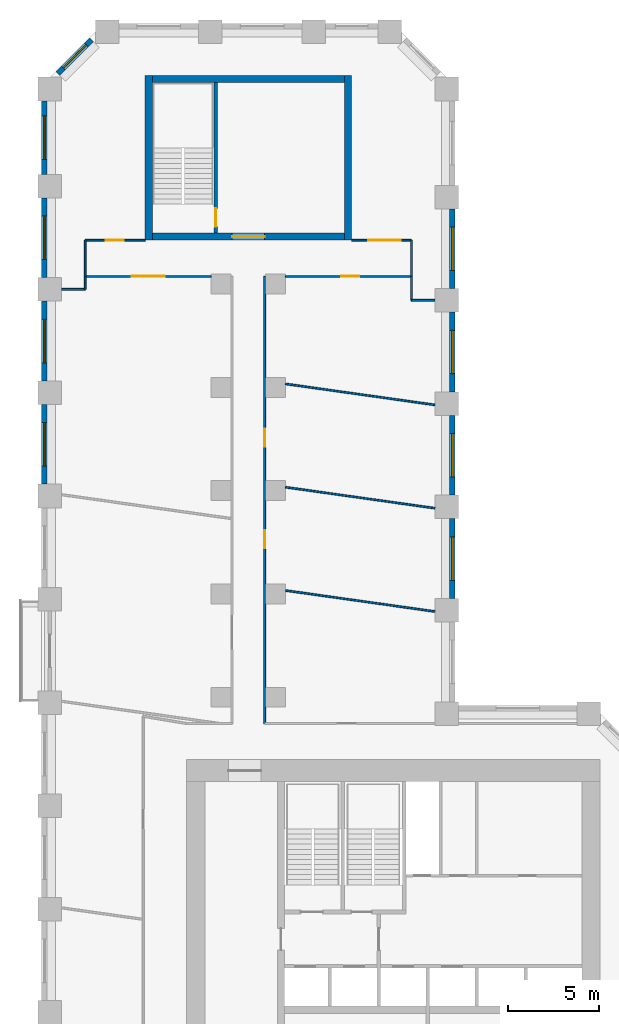
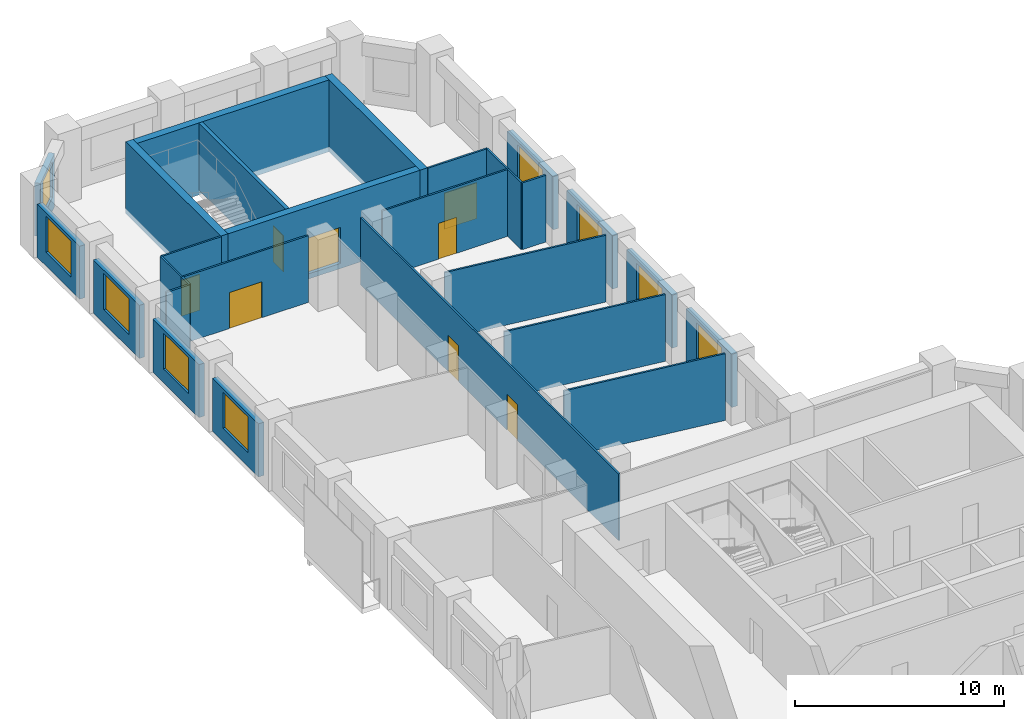
# One storey, part 8 of 10: 28 walls, 9 windows, 8 doors, 17 openings.
"""IFC4 building model written with IfcOpenShell, lengths in metres."""

from ifc_helpers import new_model, si_unit, direction, frame, frame_2d, origin, place, context, subcontext, project, spatial, rectangle, extrude, material, layer, layer_set, type_object, element, fill, save


model = new_model("IFC4")

# Units and contexts
model_context = context("Model", 3, precision=1e-05, world=origin(), true_north=direction((0.0, 1.0)))
body_context = subcontext(model_context, "Body", "Model", "MODEL_VIEW")
ifc_project = project(units=[si_unit("LENGTHUNIT", "METRE"), si_unit("AREAUNIT", "SQUARE_METRE"), si_unit("VOLUMEUNIT", "CUBIC_METRE"), si_unit("PLANEANGLEUNIT", "RADIAN"), si_unit("MASSUNIT", "GRAM", prefix="KILO")], contexts=[model_context])

# Site, building, storey
site_placement = place(None, origin())
site = spatial("IfcSite", under=ifc_project, at=site_placement, CompositionType="ELEMENT")
building_placement = place(site_placement, origin())
building = spatial("IfcBuilding", under=site, at=building_placement, Name="Meshkara Civic Tower", CompositionType="ELEMENT")
storey_placement = place(building_placement, frame((0.0, 0.0, 109.800048828125)))
storey = spatial("IfcBuildingStorey", under=building, at=storey_placement, Name="L24", CompositionType="ELEMENT", Elevation=109.800048828125)

# Wall, opening, door
ifc_material_1 = material(Name="Corridor wall 100")
ifc_layer_1 = layer(ifc_material_1, 0.10009765625)
ifc_layer_set_1 = layer_set([ifc_layer_1], Name="Corridor wall 100")
wall_type_1 = type_object("IfcWallType", Name="Corridor wall 100", PredefinedType="PARTITIONING", material=ifc_layer_set_1)
wall_1_placement = place(storey_placement, frame((2.39990234375, 63.570068359375, 0.0), z_axis=(0.0, 0.0, 1.0), x_axis=(1.0, 0.0, 0.0)))
wall_1 = element("IfcWall", 1, at=wall_1_placement, inside=storey, type_object=wall_type_1, Name="L24-W001", PredefinedType="PARTITIONING", context=body_context, shape_type="SweptSolid", body=[
    extrude(rectangle(XDim=6.9501953125, YDim=0.10009765625, at=frame_2d((3.47509765625, 0.0))), origin(), (0.0, 0.0, 1.0), 3.89990234375),
])
opening_1_placement = place(wall_1_placement, frame((2.580078125, 0.0, 0.0)))
opening_1 = element("IfcOpeningElement", 2, at=opening_1_placement, cuts=wall_1, Name="Opening L24-D022", PredefinedType="OPENING", context=body_context, shape_type="SweptSolid", body=[
    extrude(rectangle(XDim=1.800048828125, YDim=2.10009765625, at=frame_2d((0.89990234375, 1.050048828125))), frame((0.0, 0.06005859375, 0.0), z_axis=(0.0, -1.0, 0.0), x_axis=(1.0, 0.0, 0.0)), (0.0, 0.0, 1.0), 0.1201171875),
])
ifc_material_2 = material(Name="Door pair 1800 x 2100")
door_type_1 = type_object("IfcDoorType", Name="Door pair 1800 x 2100", OperationType="SINGLE_SWING_LEFT", PredefinedType="DOOR", material=ifc_material_2)
door_1_placement = place(opening_1_placement, origin())
door_1 = element("IfcDoor", 3, at=door_1_placement, inside=storey, type_object=door_type_1, Name="L24-D022", OperationType="DOUBLE_DOOR_SINGLE_SWING", OverallHeight=2.10009765625, OverallWidth=1.800048828125, PredefinedType="DOOR", context=body_context, shape_type="SweptSolid", body=[
    extrude(rectangle(XDim=1.800048828125, YDim=2.10009765625, at=frame_2d((0.89990234375, 1.050048828125))), frame((0.0, 0.02490234375, 0.0), z_axis=(0.0, -1.0, 0.0), x_axis=(1.0, 0.0, 0.0)), (0.0, 0.0, 1.0), 0.050048828125),
])
fill(opening_1, door_1)

# Wall
wall_2_placement = place(storey_placement, frame((2.39990234375, 65.570068359375, 0.0), z_axis=(0.0, 0.0, 1.0), x_axis=(0.0, -1.0, 0.0)))
element("IfcWall", 4, at=wall_2_placement, inside=storey, type_object=wall_type_1, Name="L24-W002", PredefinedType="PARTITIONING", context=body_context, shape_type="SweptSolid", body=[
    extrude(rectangle(XDim=2.0, YDim=0.10009765625, at=frame_2d((1.0, 0.0))), origin(), (0.0, 0.0, 1.0), 3.89990234375),
])

# Wall, opening, door
wall_3_placement = place(storey_placement, frame((5.699951171875, 65.570068359375, 0.0), z_axis=(0.0, 0.0, 1.0), x_axis=(-1.0, 0.0, 0.0)))
wall_3 = element("IfcWall", 5, at=wall_3_placement, inside=storey, type_object=wall_type_1, Name="L24-W005", PredefinedType="PARTITIONING", context=body_context, shape_type="SweptSolid", body=[
    extrude(rectangle(XDim=3.300048828125, YDim=0.10009765625, at=frame_2d((1.64990234375, 0.0))), origin(), (0.0, 0.0, 1.0), 3.89990234375),
])
opening_2_placement = place(wall_3_placement, frame((1.179931640625, 0.0, 0.0)))
opening_2 = element("IfcOpeningElement", 6, at=opening_2_placement, cuts=wall_3, Name="Opening L24-D021", PredefinedType="OPENING", context=body_context, shape_type="SweptSolid", body=[
    extrude(rectangle(XDim=1.0, YDim=2.10009765625, at=frame_2d((0.5, 1.050048828125))), frame((0.0, 0.06005859375, 0.0), z_axis=(0.0, -1.0, 0.0), x_axis=(1.0, 0.0, 0.0)), (0.0, 0.0, 1.0), 0.1201171875),
])
ifc_material_3 = material(Name="Door 1000 x 2100")
door_type_2 = type_object("IfcDoorType", Name="Door 1000 x 2100", OperationType="SINGLE_SWING_LEFT", PredefinedType="DOOR", material=ifc_material_3)
door_2_placement = place(opening_2_placement, origin())
door_2 = element("IfcDoor", 7, at=door_2_placement, inside=storey, type_object=door_type_2, Name="L24-D021", OperationType="SINGLE_SWING_LEFT", OverallHeight=2.10009765625, OverallWidth=1.0, PredefinedType="DOOR", context=body_context, shape_type="SweptSolid", body=[
    extrude(rectangle(XDim=1.0, YDim=2.10009765625, at=frame_2d((0.5, 1.050048828125))), frame((0.0, 0.02490234375, 0.0), z_axis=(0.0, -1.0, 0.0), x_axis=(1.0, 0.0, 0.0)), (0.0, 0.0, 1.0), 0.050048828125),
])
fill(opening_2, door_2)

# Wall, openings, doors
wall_4_placement = place(storey_placement, frame((12.300048828125, 38.89990234375, 0.0), z_axis=(0.0, 0.0, 1.0), x_axis=(0.0, 1.0, 0.0)))
wall_4 = element("IfcWall", 8, at=wall_4_placement, inside=storey, type_object=wall_type_1, Name="L24-W014", PredefinedType="PARTITIONING", context=body_context, shape_type="SweptSolid", body=[
    extrude(rectangle(XDim=24.670166015625, YDim=0.10009765625, at=frame_2d((12.3349609375, 0.0))), origin(), (0.0, 0.0, 1.0), 3.89990234375),
])
opening_3_placement = place(wall_4_placement, frame((9.673095703125, 0.0, 0.0)))
opening_3 = element("IfcOpeningElement", 9, at=opening_3_placement, cuts=wall_4, Name="Opening L24-D019", PredefinedType="OPENING", context=body_context, shape_type="SweptSolid", body=[
    extrude(rectangle(XDim=1.0, YDim=2.10009765625, at=frame_2d((0.5, 1.050048828125))), frame((0.0, 0.06005859375, 0.0), z_axis=(0.0, -1.0, 0.0), x_axis=(1.0, 0.0, 0.0)), (0.0, 0.0, 1.0), 0.1201171875),
])
opening_4_placement = place(wall_4_placement, frame((15.27294921875, 0.0, 0.0)))
opening_4 = element("IfcOpeningElement", 10, at=opening_4_placement, cuts=wall_4, Name="Opening L24-D020", PredefinedType="OPENING", context=body_context, shape_type="SweptSolid", body=[
    extrude(rectangle(XDim=1.0, YDim=2.10009765625, at=frame_2d((0.5, 1.050048828125))), frame((0.0, 0.06005859375, 0.0), z_axis=(0.0, -1.0, 0.0), x_axis=(1.0, 0.0, 0.0)), (0.0, 0.0, 1.0), 0.1201171875),
])
door_3_placement = place(opening_3_placement, origin())
door_3 = element("IfcDoor", 11, at=door_3_placement, inside=storey, type_object=door_type_2, Name="L24-D019", OperationType="SINGLE_SWING_RIGHT", OverallHeight=2.10009765625, OverallWidth=1.0, PredefinedType="DOOR", context=body_context, shape_type="SweptSolid", body=[
    extrude(rectangle(XDim=1.0, YDim=2.10009765625, at=frame_2d((0.5, 1.050048828125))), frame((0.0, 0.02490234375, 0.0), z_axis=(0.0, -1.0, 0.0), x_axis=(1.0, 0.0, 0.0)), (0.0, 0.0, 1.0), 0.050048828125),
])
fill(opening_3, door_3)
door_4_placement = place(opening_4_placement, origin())
door_4 = element("IfcDoor", 12, at=door_4_placement, inside=storey, type_object=door_type_2, Name="L24-D020", OperationType="SINGLE_SWING_RIGHT", OverallHeight=2.10009765625, OverallWidth=1.0, PredefinedType="DOOR", context=body_context, shape_type="SweptSolid", body=[
    extrude(rectangle(XDim=1.0, YDim=2.10009765625, at=frame_2d((0.5, 1.050048828125))), frame((0.0, 0.02490234375, 0.0), z_axis=(0.0, -1.0, 0.0), x_axis=(1.0, 0.0, 0.0)), (0.0, 0.0, 1.0), 0.050048828125),
])
fill(opening_4, door_4)

# Wall, opening, door
wall_5_placement = place(storey_placement, frame((13.449951171875, 63.570068359375, 0.0), z_axis=(0.0, 0.0, 1.0), x_axis=(1.0, 0.0, 0.0)))
wall_5 = element("IfcWall", 13, at=wall_5_placement, inside=storey, type_object=wall_type_1, Name="L24-W016", PredefinedType="PARTITIONING", context=body_context, shape_type="SweptSolid", body=[
    extrude(rectangle(XDim=6.949951171875, YDim=0.10009765625, at=frame_2d((3.47509765625, 0.0))), origin(), (0.0, 0.0, 1.0), 3.89990234375),
])
opening_5_placement = place(wall_5_placement, frame((3.080078125, 0.0, 0.0)))
opening_5 = element("IfcOpeningElement", 14, at=opening_5_placement, cuts=wall_5, Name="Opening L24-D023", PredefinedType="OPENING", context=body_context, shape_type="SweptSolid", body=[
    extrude(rectangle(XDim=1.0, YDim=2.10009765625, at=frame_2d((0.5, 1.050048828125))), frame((0.0, 0.06005859375, 0.0), z_axis=(0.0, -1.0, 0.0), x_axis=(1.0, 0.0, 0.0)), (0.0, 0.0, 1.0), 0.1201171875),
])
door_5_placement = place(opening_5_placement, origin())
door_5 = element("IfcDoor", 15, at=door_5_placement, inside=storey, type_object=door_type_2, Name="L24-D023", OperationType="SINGLE_SWING_LEFT", OverallHeight=2.10009765625, OverallWidth=1.0, PredefinedType="DOOR", context=body_context, shape_type="SweptSolid", body=[
    extrude(rectangle(XDim=1.0, YDim=2.10009765625, at=frame_2d((0.5, 1.050048828125))), frame((0.0, 0.02490234375, 0.0), z_axis=(0.0, -1.0, 0.0), x_axis=(1.0, 0.0, 0.0)), (0.0, 0.0, 1.0), 0.050048828125),
])
fill(opening_5, door_5)

# Wall
wall_6_placement = place(storey_placement, frame((20.39990234375, 63.570068359375, 0.0), z_axis=(0.0, 0.0, 1.0), x_axis=(0.0, 1.0, 0.0)))
element("IfcWall", 16, at=wall_6_placement, inside=storey, type_object=wall_type_1, Name="L24-W017", PredefinedType="PARTITIONING", context=body_context, shape_type="SweptSolid", body=[
    extrude(rectangle(XDim=2.0, YDim=0.10009765625, at=frame_2d((1.0, 0.0))), origin(), (0.0, 0.0, 1.0), 3.89990234375),
])

# Wall, opening, door
wall_7_placement = place(storey_placement, frame((20.39990234375, 65.570068359375, 0.0), z_axis=(0.0, 0.0, 1.0), x_axis=(-1.0, 0.0, 0.0)))
wall_7 = element("IfcWall", 17, at=wall_7_placement, inside=storey, type_object=wall_type_1, Name="L24-W018", PredefinedType="PARTITIONING", context=body_context, shape_type="SweptSolid", body=[
    extrude(rectangle(XDim=3.2998046875, YDim=0.10009765625, at=frame_2d((1.64990234375, 0.0))), origin(), (0.0, 0.0, 1.0), 3.89990234375),
])
opening_6_placement = place(wall_7_placement, frame((0.580078125, 0.0, 0.0)))
opening_6 = element("IfcOpeningElement", 18, at=opening_6_placement, cuts=wall_7, Name="Opening L24-D024", PredefinedType="OPENING", context=body_context, shape_type="SweptSolid", body=[
    extrude(rectangle(XDim=1.800048828125, YDim=2.10009765625, at=frame_2d((0.89990234375, 1.050048828125))), frame((0.0, 0.06005859375, 0.0), z_axis=(0.0, -1.0, 0.0), x_axis=(1.0, 0.0, 0.0)), (0.0, 0.0, 1.0), 0.1201171875),
])
door_6_placement = place(opening_6_placement, origin())
door_6 = element("IfcDoor", 19, at=door_6_placement, inside=storey, type_object=door_type_1, Name="L24-D024", OperationType="DOUBLE_DOOR_SINGLE_SWING", OverallHeight=2.10009765625, OverallWidth=1.800048828125, PredefinedType="DOOR", context=body_context, shape_type="SweptSolid", body=[
    extrude(rectangle(XDim=1.800048828125, YDim=2.10009765625, at=frame_2d((0.89990234375, 1.050048828125))), frame((0.0, 0.02490234375, 0.0), z_axis=(0.0, -1.0, 0.0), x_axis=(1.0, 0.0, 0.0)), (0.0, 0.0, 1.0), 0.050048828125),
])
fill(opening_6, door_6)

# Wall, opening, window
ifc_material_4 = material(Name="Insulated infill panel with bronze anodised aluminium cladding", Category="aluminium")
ifc_layer_2 = layer(ifc_material_4, 0.300048828125)
ifc_layer_set_2 = layer_set([ifc_layer_2], Name="EXTERNAL INFILL WALL 300")
wall_type_2 = type_object("IfcWallType", Name="EXTERNAL INFILL WALL 300", PredefinedType="SOLIDWALL", material=ifc_layer_set_2)
wall_8_placement = place(storey_placement, frame((22.64990234375, 45.800048828125, 0.0), z_axis=(0.0, 0.0, 1.0), x_axis=(0.0, 1.0, 0.0)))
wall_8 = element("IfcWall", 20, at=wall_8_placement, inside=storey, type_object=wall_type_2, Name="External wall", PredefinedType="SOLIDWALL", context=body_context, shape_type="SweptSolid", body=[
    extrude(rectangle(XDim=4.39990234375, YDim=0.300048828125, at=frame_2d((2.199951171875, 0.0))), origin(), (0.0, 0.0, 1.0), 3.099853515625),
])
opening_7_placement = place(wall_8_placement, frame((1.0, 0.0, 0.800048828125)))
opening_7 = element("IfcOpeningElement", 21, at=opening_7_placement, cuts=wall_8, Name="Opening W7", PredefinedType="OPENING", context=body_context, shape_type="SweptSolid", body=[
    extrude(rectangle(XDim=2.39990234375, YDim=2.10009765625, at=frame_2d((1.199951171875, 1.050048828125))), frame((0.0, 0.159912109375, 0.0), z_axis=(0.0, -1.0, 0.0), x_axis=(1.0, 0.0, 0.0)), (0.0, 0.0, 1.0), 0.320068359375),
])
ifc_material_5 = material(Name="Tinted double glazing", Category="glass")
window_type_1 = type_object("IfcWindowType", Name="WINDOW 2400x2100", PartitioningType="DOUBLE_PANEL_VERTICAL", PredefinedType="WINDOW", material=ifc_material_5)
window_1_placement = place(opening_7_placement, origin())
window_1 = element("IfcWindow", 22, at=window_1_placement, inside=storey, type_object=window_type_1, Name="Window", OverallHeight=2.10009765625, OverallWidth=2.39990234375, PartitioningType="DOUBLE_PANEL_VERTICAL", PredefinedType="WINDOW", context=body_context, shape_type="SweptSolid", body=[
    extrude(rectangle(XDim=2.39990234375, YDim=2.10009765625, at=frame_2d((1.199951171875, 1.050048828125))), frame((0.0, 0.030029296875, 0.0), z_axis=(0.0, -1.0, 0.0), x_axis=(1.0, 0.0, 0.0)), (0.0, 0.0, 1.0), 0.06005859375),
])
fill(opening_7, window_1)

wall_9_placement = place(storey_placement, frame((22.64990234375, 51.5, 0.0), z_axis=(0.0, 0.0, 1.0), x_axis=(0.0, 1.0, 0.0)))
wall_9 = element("IfcWall", 23, at=wall_9_placement, inside=storey, type_object=wall_type_2, Name="External wall", PredefinedType="SOLIDWALL", context=body_context, shape_type="SweptSolid", body=[
    extrude(rectangle(XDim=4.39990234375, YDim=0.300048828125, at=frame_2d((2.199951171875, 0.0))), origin(), (0.0, 0.0, 1.0), 3.099853515625),
])
opening_8_placement = place(wall_9_placement, frame((1.0, 0.0, 0.800048828125)))
opening_8 = element("IfcOpeningElement", 24, at=opening_8_placement, cuts=wall_9, Name="Opening W7", PredefinedType="OPENING", context=body_context, shape_type="SweptSolid", body=[
    extrude(rectangle(XDim=2.39990234375, YDim=2.10009765625, at=frame_2d((1.199951171875, 1.050048828125))), frame((0.0, 0.159912109375, 0.0), z_axis=(0.0, -1.0, 0.0), x_axis=(1.0, 0.0, 0.0)), (0.0, 0.0, 1.0), 0.320068359375),
])
window_2_placement = place(opening_8_placement, origin())
window_2 = element("IfcWindow", 25, at=window_2_placement, inside=storey, type_object=window_type_1, Name="Window", OverallHeight=2.10009765625, OverallWidth=2.39990234375, PartitioningType="DOUBLE_PANEL_VERTICAL", PredefinedType="WINDOW", context=body_context, shape_type="SweptSolid", body=[
    extrude(rectangle(XDim=2.39990234375, YDim=2.10009765625, at=frame_2d((1.199951171875, 1.050048828125))), frame((0.0, 0.030029296875, 0.0), z_axis=(0.0, -1.0, 0.0), x_axis=(1.0, 0.0, 0.0)), (0.0, 0.0, 1.0), 0.06005859375),
])
fill(opening_8, window_2)

wall_10_placement = place(storey_placement, frame((22.64990234375, 57.199951171875, 0.0), z_axis=(0.0, 0.0, 1.0), x_axis=(0.0, 1.0, 0.0)))
wall_10 = element("IfcWall", 26, at=wall_10_placement, inside=storey, type_object=wall_type_2, Name="External wall", PredefinedType="SOLIDWALL", context=body_context, shape_type="SweptSolid", body=[
    extrude(rectangle(XDim=4.400146484375, YDim=0.300048828125, at=frame_2d((2.2001953125, 0.0))), origin(), (0.0, 0.0, 1.0), 3.099853515625),
])
opening_9_placement = place(wall_10_placement, frame((1.0, 0.0, 0.800048828125)))
opening_9 = element("IfcOpeningElement", 27, at=opening_9_placement, cuts=wall_10, Name="Opening W7", PredefinedType="OPENING", context=body_context, shape_type="SweptSolid", body=[
    extrude(rectangle(XDim=2.39990234375, YDim=2.10009765625, at=frame_2d((1.199951171875, 1.050048828125))), frame((0.0, 0.159912109375, 0.0), z_axis=(0.0, -1.0, 0.0), x_axis=(1.0, 0.0, 0.0)), (0.0, 0.0, 1.0), 0.320068359375),
])
window_3_placement = place(opening_9_placement, origin())
window_3 = element("IfcWindow", 28, at=window_3_placement, inside=storey, type_object=window_type_1, Name="Window", OverallHeight=2.10009765625, OverallWidth=2.39990234375, PartitioningType="DOUBLE_PANEL_VERTICAL", PredefinedType="WINDOW", context=body_context, shape_type="SweptSolid", body=[
    extrude(rectangle(XDim=2.39990234375, YDim=2.10009765625, at=frame_2d((1.199951171875, 1.050048828125))), frame((0.0, 0.030029296875, 0.0), z_axis=(0.0, -1.0, 0.0), x_axis=(1.0, 0.0, 0.0)), (0.0, 0.0, 1.0), 0.06005859375),
])
fill(opening_9, window_3)

wall_11_placement = place(storey_placement, frame((22.64990234375, 62.89990234375, 0.0), z_axis=(0.0, 0.0, 1.0), x_axis=(0.0, 1.0, 0.0)))
wall_11 = element("IfcWall", 29, at=wall_11_placement, inside=storey, type_object=wall_type_2, Name="External wall", PredefinedType="SOLIDWALL", context=body_context, shape_type="SweptSolid", body=[
    extrude(rectangle(XDim=4.400146484375, YDim=0.300048828125, at=frame_2d((2.2001953125, 0.0))), origin(), (0.0, 0.0, 1.0), 3.099853515625),
])
opening_10_placement = place(wall_11_placement, frame((1.0, 0.0, 0.800048828125)))
opening_10 = element("IfcOpeningElement", 30, at=opening_10_placement, cuts=wall_11, Name="Opening W7", PredefinedType="OPENING", context=body_context, shape_type="SweptSolid", body=[
    extrude(rectangle(XDim=2.39990234375, YDim=2.10009765625, at=frame_2d((1.199951171875, 1.050048828125))), frame((0.0, 0.159912109375, 0.0), z_axis=(0.0, -1.0, 0.0), x_axis=(1.0, 0.0, 0.0)), (0.0, 0.0, 1.0), 0.320068359375),
])
window_4_placement = place(opening_10_placement, origin())
window_4 = element("IfcWindow", 31, at=window_4_placement, inside=storey, type_object=window_type_1, Name="Window", OverallHeight=2.10009765625, OverallWidth=2.39990234375, PartitioningType="DOUBLE_PANEL_VERTICAL", PredefinedType="WINDOW", context=body_context, shape_type="SweptSolid", body=[
    extrude(rectangle(XDim=2.39990234375, YDim=2.10009765625, at=frame_2d((1.199951171875, 1.050048828125))), frame((0.0, 0.030029296875, 0.0), z_axis=(0.0, -1.0, 0.0), x_axis=(1.0, 0.0, 0.0)), (0.0, 0.0, 1.0), 0.06005859375),
])
fill(opening_10, window_4)

wall_12_placement = place(storey_placement, frame((2.743896484375, 76.632080078125, 0.0), z_axis=(0.0, 0.0, 1.0), x_axis=(-0.707060274772, -0.707153284542, 0.0)))
wall_12 = element("IfcWall", 32, at=wall_12_placement, inside=storey, type_object=wall_type_2, Name="External wall", PredefinedType="SOLIDWALL", context=body_context, shape_type="SweptSolid", body=[
    extrude(rectangle(XDim=2.625, YDim=0.300048828125, at=frame_2d((1.3125, 0.0))), origin(), (0.0, 0.0, 1.0), 3.099853515625),
])
opening_11_placement = place(wall_12_placement, frame((0.412109375, 0.0, 0.800048828125)))
opening_11 = element("IfcOpeningElement", 33, at=opening_11_placement, cuts=wall_12, Name="Opening W9", PredefinedType="OPENING", context=body_context, shape_type="SweptSolid", body=[
    extrude(rectangle(XDim=1.800048828125, YDim=2.10009765625, at=frame_2d((0.89990234375, 1.050048828125))), frame((0.0, 0.159912109375, 0.0), z_axis=(0.0, -1.0, 0.0), x_axis=(1.0, 0.0, 0.0)), (0.0, 0.0, 1.0), 0.320068359375),
])
ifc_material_6 = material(Name="Tinted double glazing", Category="glass")
window_type_2 = type_object("IfcWindowType", Name="WINDOW 1800x2100", PartitioningType="DOUBLE_PANEL_VERTICAL", PredefinedType="WINDOW", material=ifc_material_6)
window_5_placement = place(opening_11_placement, origin())
window_5 = element("IfcWindow", 34, at=window_5_placement, inside=storey, type_object=window_type_2, Name="Window", OverallHeight=2.10009765625, OverallWidth=1.800048828125, PartitioningType="DOUBLE_PANEL_VERTICAL", PredefinedType="WINDOW", context=body_context, shape_type="SweptSolid", body=[
    extrude(rectangle(XDim=1.800048828125, YDim=2.10009765625, at=frame_2d((0.89990234375, 1.050048828125))), frame((0.0, 0.030029296875, 0.0), z_axis=(0.0, -1.0, 0.0), x_axis=(1.0, 0.0, 0.0)), (0.0, 0.0, 1.0), 0.06005859375),
])
fill(opening_11, window_5)

wall_13_placement = place(storey_placement, frame((0.14990234375, 73.263916015625, 0.0), z_axis=(0.0, 0.0, 1.0), x_axis=(0.0, -1.0, 0.0)))
wall_13 = element("IfcWall", 35, at=wall_13_placement, inside=storey, type_object=wall_type_2, Name="External wall", PredefinedType="SOLIDWALL", context=body_context, shape_type="SweptSolid", body=[
    extrude(rectangle(XDim=4.058837890625, YDim=0.300048828125, at=frame_2d((2.029296875, 0.0))), origin(), (0.0, 0.0, 1.0), 3.099853515625),
])
opening_12_placement = place(wall_13_placement, frame((0.8291015625, 0.0, 0.800048828125)))
opening_12 = element("IfcOpeningElement", 36, at=opening_12_placement, cuts=wall_13, Name="Opening W7", PredefinedType="OPENING", context=body_context, shape_type="SweptSolid", body=[
    extrude(rectangle(XDim=2.39990234375, YDim=2.10009765625, at=frame_2d((1.199951171875, 1.050048828125))), frame((0.0, 0.159912109375, 0.0), z_axis=(0.0, -1.0, 0.0), x_axis=(1.0, 0.0, 0.0)), (0.0, 0.0, 1.0), 0.320068359375),
])
window_6_placement = place(opening_12_placement, origin())
window_6 = element("IfcWindow", 37, at=window_6_placement, inside=storey, type_object=window_type_1, Name="Window", OverallHeight=2.10009765625, OverallWidth=2.39990234375, PartitioningType="DOUBLE_PANEL_VERTICAL", PredefinedType="WINDOW", context=body_context, shape_type="SweptSolid", body=[
    extrude(rectangle(XDim=2.39990234375, YDim=2.10009765625, at=frame_2d((1.199951171875, 1.050048828125))), frame((0.0, 0.030029296875, 0.0), z_axis=(0.0, -1.0, 0.0), x_axis=(1.0, 0.0, 0.0)), (0.0, 0.0, 1.0), 0.06005859375),
])
fill(opening_12, window_6)

wall_14_placement = place(storey_placement, frame((0.14990234375, 67.905029296875, 0.0), z_axis=(0.0, 0.0, 1.0), x_axis=(0.0, -1.0, 0.0)))
wall_14 = element("IfcWall", 38, at=wall_14_placement, inside=storey, type_object=wall_type_2, Name="External wall", PredefinedType="SOLIDWALL", context=body_context, shape_type="SweptSolid", body=[
    extrude(rectangle(XDim=4.400146484375, YDim=0.300048828125, at=frame_2d((2.2001953125, 0.0))), origin(), (0.0, 0.0, 1.0), 3.099853515625),
])
opening_13_placement = place(wall_14_placement, frame((1.0, 0.0, 0.800048828125)))
opening_13 = element("IfcOpeningElement", 39, at=opening_13_placement, cuts=wall_14, Name="Opening W7", PredefinedType="OPENING", context=body_context, shape_type="SweptSolid", body=[
    extrude(rectangle(XDim=2.39990234375, YDim=2.10009765625, at=frame_2d((1.199951171875, 1.050048828125))), frame((0.0, 0.159912109375, 0.0), z_axis=(0.0, -1.0, 0.0), x_axis=(1.0, 0.0, 0.0)), (0.0, 0.0, 1.0), 0.320068359375),
])
window_7_placement = place(opening_13_placement, origin())
window_7 = element("IfcWindow", 40, at=window_7_placement, inside=storey, type_object=window_type_1, Name="Window", OverallHeight=2.10009765625, OverallWidth=2.39990234375, PartitioningType="DOUBLE_PANEL_VERTICAL", PredefinedType="WINDOW", context=body_context, shape_type="SweptSolid", body=[
    extrude(rectangle(XDim=2.39990234375, YDim=2.10009765625, at=frame_2d((1.199951171875, 1.050048828125))), frame((0.0, 0.030029296875, 0.0), z_axis=(0.0, -1.0, 0.0), x_axis=(1.0, 0.0, 0.0)), (0.0, 0.0, 1.0), 0.06005859375),
])
fill(opening_13, window_7)

wall_15_placement = place(storey_placement, frame((0.14990234375, 62.205078125, 0.0), z_axis=(0.0, 0.0, 1.0), x_axis=(0.0, -1.0, 0.0)))
wall_15 = element("IfcWall", 41, at=wall_15_placement, inside=storey, type_object=wall_type_2, Name="External wall", PredefinedType="SOLIDWALL", context=body_context, shape_type="SweptSolid", body=[
    extrude(rectangle(XDim=4.400146484375, YDim=0.300048828125, at=frame_2d((2.2001953125, 0.0))), origin(), (0.0, 0.0, 1.0), 3.099853515625),
])
opening_14_placement = place(wall_15_placement, frame((1.0, 0.0, 0.800048828125)))
opening_14 = element("IfcOpeningElement", 42, at=opening_14_placement, cuts=wall_15, Name="Opening W7", PredefinedType="OPENING", context=body_context, shape_type="SweptSolid", body=[
    extrude(rectangle(XDim=2.39990234375, YDim=2.10009765625, at=frame_2d((1.199951171875, 1.050048828125))), frame((0.0, 0.159912109375, 0.0), z_axis=(0.0, -1.0, 0.0), x_axis=(1.0, 0.0, 0.0)), (0.0, 0.0, 1.0), 0.320068359375),
])
window_8_placement = place(opening_14_placement, origin())
window_8 = element("IfcWindow", 43, at=window_8_placement, inside=storey, type_object=window_type_1, Name="Window", OverallHeight=2.10009765625, OverallWidth=2.39990234375, PartitioningType="DOUBLE_PANEL_VERTICAL", PredefinedType="WINDOW", context=body_context, shape_type="SweptSolid", body=[
    extrude(rectangle(XDim=2.39990234375, YDim=2.10009765625, at=frame_2d((1.199951171875, 1.050048828125))), frame((0.0, 0.030029296875, 0.0), z_axis=(0.0, -1.0, 0.0), x_axis=(1.0, 0.0, 0.0)), (0.0, 0.0, 1.0), 0.06005859375),
])
fill(opening_14, window_8)

wall_16_placement = place(storey_placement, frame((0.14990234375, 56.5048828125, 0.0), z_axis=(0.0, 0.0, 1.0), x_axis=(0.0, -1.0, 0.0)))
wall_16 = element("IfcWall", 44, at=wall_16_placement, inside=storey, type_object=wall_type_2, Name="External wall", PredefinedType="SOLIDWALL", context=body_context, shape_type="SweptSolid", body=[
    extrude(rectangle(XDim=4.39990234375, YDim=0.300048828125, at=frame_2d((2.199951171875, 0.0))), origin(), (0.0, 0.0, 1.0), 3.099853515625),
])
opening_15_placement = place(wall_16_placement, frame((1.0, 0.0, 0.800048828125)))
opening_15 = element("IfcOpeningElement", 45, at=opening_15_placement, cuts=wall_16, Name="Opening W7", PredefinedType="OPENING", context=body_context, shape_type="SweptSolid", body=[
    extrude(rectangle(XDim=2.39990234375, YDim=2.10009765625, at=frame_2d((1.199951171875, 1.050048828125))), frame((0.0, 0.159912109375, 0.0), z_axis=(0.0, -1.0, 0.0), x_axis=(1.0, 0.0, 0.0)), (0.0, 0.0, 1.0), 0.320068359375),
])
window_9_placement = place(opening_15_placement, origin())
window_9 = element("IfcWindow", 46, at=window_9_placement, inside=storey, type_object=window_type_1, Name="Window", OverallHeight=2.10009765625, OverallWidth=2.39990234375, PartitioningType="DOUBLE_PANEL_VERTICAL", PredefinedType="WINDOW", context=body_context, shape_type="SweptSolid", body=[
    extrude(rectangle(XDim=2.39990234375, YDim=2.10009765625, at=frame_2d((1.199951171875, 1.050048828125))), frame((0.0, 0.030029296875, 0.0), z_axis=(0.0, -1.0, 0.0), x_axis=(1.0, 0.0, 0.0)), (0.0, 0.0, 1.0), 0.06005859375),
])
fill(opening_15, window_9)

# Walls
ifc_material_7 = material(Name="Concrete C70", Category="concrete")
ifc_layer_3 = layer(ifc_material_7, 0.39990234375)
ifc_layer_set_3 = layer_set([ifc_layer_3], Name="End core ring wall 400 C70")
wall_type_3 = type_object("IfcWallType", Name="End core ring wall 400 C70", PredefinedType="SHEAR", material=ifc_layer_set_3)
for number, where, z_axis, x_axis, name in (
    (47, (5.89990234375, 65.570068359375, -0.300048828125), (0.0, 0.0, 1.0), (0.0, 1.0, 0.0), "L24-C026"),
    (48, (16.89990234375, 65.570068359375, -0.300048828125), (0.0, 0.0, 1.0), (0.0, 1.0, 0.0), "L24-C027"),
):
    element("IfcWall", number, at=place(storey_placement, frame(where, z_axis=z_axis, x_axis=x_axis)), inside=storey, type_object=wall_type_3, Name=name, PredefinedType="SHEAR", context=body_context, shape_type="SweptSolid", body=[
        extrude(rectangle(XDim=9.099853515625, YDim=0.39990234375, at=frame_2d((4.5498046875, 0.0))), origin(), (0.0, 0.0, 1.0), 4.199951171875),
    ])

# Wall, opening, door
wall_17_placement = place(storey_placement, frame((6.10009765625, 65.77001953125, -0.300048828125), z_axis=(0.0, 0.0, 1.0), x_axis=(1.0, 0.0, 0.0)))
wall_17 = element("IfcWall", 49, at=wall_17_placement, inside=storey, type_object=wall_type_3, Name="L24-C028", PredefinedType="SHEAR", context=body_context, shape_type="SweptSolid", body=[
    extrude(rectangle(XDim=10.599853515625, YDim=0.39990234375, at=frame_2d((5.2998046875, 0.0))), origin(), (0.0, 0.0, 1.0), 4.199951171875),
])
opening_16_placement = place(wall_17_placement, frame((4.39990234375, 0.0, 0.300048828125)))
opening_16 = element("IfcOpeningElement", 50, at=opening_16_placement, cuts=wall_17, Name="Opening L24-K102", PredefinedType="OPENING", context=body_context, shape_type="SweptSolid", body=[
    extrude(rectangle(XDim=1.800048828125, YDim=2.10009765625, at=frame_2d((0.89990234375, 1.050048828125))), frame((0.0, 0.2099609375, 0.0), z_axis=(0.0, -1.0, 0.0), x_axis=(1.0, 0.0, 0.0)), (0.0, 0.0, 1.0), 0.419921875),
])
ifc_material_8 = material(Name="Fire-rated door leaf in steel frame", Category="steel")
door_type_3 = type_object("IfcDoorType", Name="Core double door 1800 EI 60", OperationType="DOUBLE_DOOR_SINGLE_SWING", PredefinedType="DOOR", material=ifc_material_8)
door_7_placement = place(opening_16_placement, origin())
door_7 = element("IfcDoor", 51, at=door_7_placement, inside=storey, type_object=door_type_3, Name="L24-K102", OperationType="DOUBLE_DOOR_SINGLE_SWING", OverallHeight=2.10009765625, OverallWidth=1.800048828125, PredefinedType="DOOR", context=body_context, shape_type="SweptSolid", body=[
    extrude(rectangle(XDim=1.800048828125, YDim=2.10009765625, at=frame_2d((0.89990234375, 1.050048828125))), frame((0.0, 0.02490234375, 0.0), z_axis=(0.0, -1.0, 0.0), x_axis=(1.0, 0.0, 0.0)), (0.0, 0.0, 1.0), 0.050048828125),
])
fill(opening_16, door_7)

# Walls
wall_18_placement = place(storey_placement, frame((6.10009765625, 74.469970703125, -0.300048828125), z_axis=(0.0, 0.0, 1.0), x_axis=(1.0, 0.0, 0.0)))
element("IfcWall", 52, at=wall_18_placement, inside=storey, type_object=wall_type_3, Name="L24-C029", PredefinedType="SHEAR", context=body_context, shape_type="SweptSolid", body=[
    extrude(rectangle(XDim=10.599853515625, YDim=0.39990234375, at=frame_2d((5.2998046875, 0.0))), origin(), (0.0, 0.0, 1.0), 4.199951171875),
])
ifc_material_9 = material(Name="Partition 100")
ifc_layer_4 = layer(ifc_material_9, 0.10009765625)
ifc_layer_set_4 = layer_set([ifc_layer_4], Name="Partition 100")
wall_type_4 = type_object("IfcWallType", Name="Partition 100", PredefinedType="PARTITIONING", material=ifc_layer_set_4)
wall_19_placement = place(storey_placement, frame((2.39990234375, 62.85498046875, 0.0), z_axis=(0.0, 0.0, 1.0), x_axis=(-1.0, 0.0, 0.0)))
element("IfcWall", 53, at=wall_19_placement, inside=storey, type_object=wall_type_4, Name="L24-W030", PredefinedType="PARTITIONING", context=body_context, shape_type="SweptSolid", body=[
    extrude(rectangle(XDim=1.2998046875, YDim=0.10009765625, at=frame_2d((0.64990234375, 0.0))), origin(), (0.0, 0.0, 1.0), 3.89990234375),
])
wall_20_placement = place(storey_placement, frame((2.39990234375, 63.573974609375, 0.0), z_axis=(0.0, 0.0, 1.0), x_axis=(0.0, -1.0, 0.0)))
element("IfcWall", 54, at=wall_20_placement, inside=storey, type_object=wall_type_4, Name="L24-W031", PredefinedType="PARTITIONING", context=body_context, shape_type="SweptSolid", body=[
    extrude(rectangle(XDim=0.718994140625, YDim=0.10009765625, at=frame_2d((0.359375, 0.0))), origin(), (0.0, 0.0, 1.0), 3.89990234375),
])
wall_21_placement = place(storey_placement, frame((20.39990234375, 62.25, 0.0), z_axis=(0.0, 0.0, 1.0), x_axis=(0.0, 1.0, 0.0)))
element("IfcWall", 55, at=wall_21_placement, inside=storey, type_object=wall_type_4, Name="L24-W037", PredefinedType="PARTITIONING", context=body_context, shape_type="SweptSolid", body=[
    extrude(rectangle(XDim=1.323974609375, YDim=0.10009765625, at=frame_2d((0.662109375, 0.0))), origin(), (0.0, 0.0, 1.0), 3.89990234375),
])
for number, where, z_axis, x_axis, name in (
    (56, (21.699951171875, 45.0791015625, 0.0), (0.0, 0.0, 1.0), (-0.990260619465, 0.139226095025, 0.0), "L24-W039"),
    (57, (21.699951171875, 50.779052734375, 0.0), (0.0, 0.0, 1.0), (-0.990260619465, 0.139226095025, 0.0), "L24-W040"),
    (58, (21.699951171875, 56.47900390625, 0.0), (0.0, 0.0, 1.0), (-0.990260619465, 0.139226095025, 0.0), "L24-W041"),
):
    element("IfcWall", number, at=place(storey_placement, frame(where, z_axis=z_axis, x_axis=x_axis)), inside=storey, type_object=wall_type_4, Name=name, PredefinedType="PARTITIONING", context=body_context, shape_type="SweptSolid", body=[
        extrude(rectangle(XDim=8.3310546875, YDim=0.10009765625, at=frame_2d((4.16552734375, 0.0))), origin(), (0.0, 0.0, 1.0), 3.89990234375),
    ])
wall_22_placement = place(storey_placement, frame((21.699951171875, 62.25, 0.0), z_axis=(0.0, 0.0, 1.0), x_axis=(-1.0, 0.0, 0.0)))
element("IfcWall", 59, at=wall_22_placement, inside=storey, type_object=wall_type_4, Name="L24-W042", PredefinedType="PARTITIONING", context=body_context, shape_type="SweptSolid", body=[
    extrude(rectangle(XDim=1.300048828125, YDim=0.10009765625, at=frame_2d((0.64990234375, 0.0))), origin(), (0.0, 0.0, 1.0), 3.89990234375),
])

# Wall, opening, door
ifc_material_10 = material(Name="Concrete C40/50", Category="concrete")
ifc_layer_5 = layer(ifc_material_10, 0.199951171875)
ifc_layer_set_5 = layer_set([ifc_layer_5], Name="Stair enclosure wall 200 C40/50")
wall_type_5 = type_object("IfcWallType", Name="Stair enclosure wall 200 C40/50", PredefinedType="SOLIDWALL", material=ifc_layer_set_5)
wall_23_placement = place(storey_placement, frame((9.60009765625, 65.969970703125, 0.0), z_axis=(0.0, 0.0, 1.0), x_axis=(0.0, 1.0, 0.0)))
wall_23 = element("IfcWall", 60, at=wall_23_placement, inside=storey, type_object=wall_type_5, Name="L24-C030", PredefinedType="SOLIDWALL", context=body_context, shape_type="SweptSolid", body=[
    extrude(rectangle(XDim=8.300048828125, YDim=0.199951171875, at=frame_2d((4.14990234375, 0.0))), origin(), (0.0, 0.0, 1.0), 3.89990234375),
])
opening_17_placement = place(wall_23_placement, frame((0.35009765625, 0.0, 0.0)))
opening_17 = element("IfcOpeningElement", 61, at=opening_17_placement, cuts=wall_23, Name="Opening L24-K101", PredefinedType="OPENING", context=body_context, shape_type="SweptSolid", body=[
    extrude(rectangle(XDim=1.0, YDim=2.10009765625, at=frame_2d((0.5, 1.050048828125))), frame((0.0, 0.10986328125, 0.0), z_axis=(0.0, -1.0, 0.0), x_axis=(1.0, 0.0, 0.0)), (0.0, 0.0, 1.0), 0.219970703125),
])
ifc_material_11 = material(Name="Fire-rated door leaf in steel frame", Category="steel")
door_type_4 = type_object("IfcDoorType", Name="Stair door 1000 EI 120", OperationType="SINGLE_SWING_LEFT", PredefinedType="DOOR", material=ifc_material_11)
door_8_placement = place(opening_17_placement, origin())
door_8 = element("IfcDoor", 62, at=door_8_placement, inside=storey, type_object=door_type_4, Name="L24-K101", OperationType="SINGLE_SWING_RIGHT", OverallHeight=2.10009765625, OverallWidth=1.0, PredefinedType="DOOR", context=body_context, shape_type="SweptSolid", body=[
    extrude(rectangle(XDim=1.0, YDim=2.10009765625, at=frame_2d((0.5, 1.050048828125))), frame((0.0, 0.02490234375, 0.0), z_axis=(0.0, -1.0, 0.0), x_axis=(1.0, 0.0, 0.0)), (0.0, 0.0, 1.0), 0.050048828125),
])
fill(opening_17, door_8)

save(model, "model.ifc")
